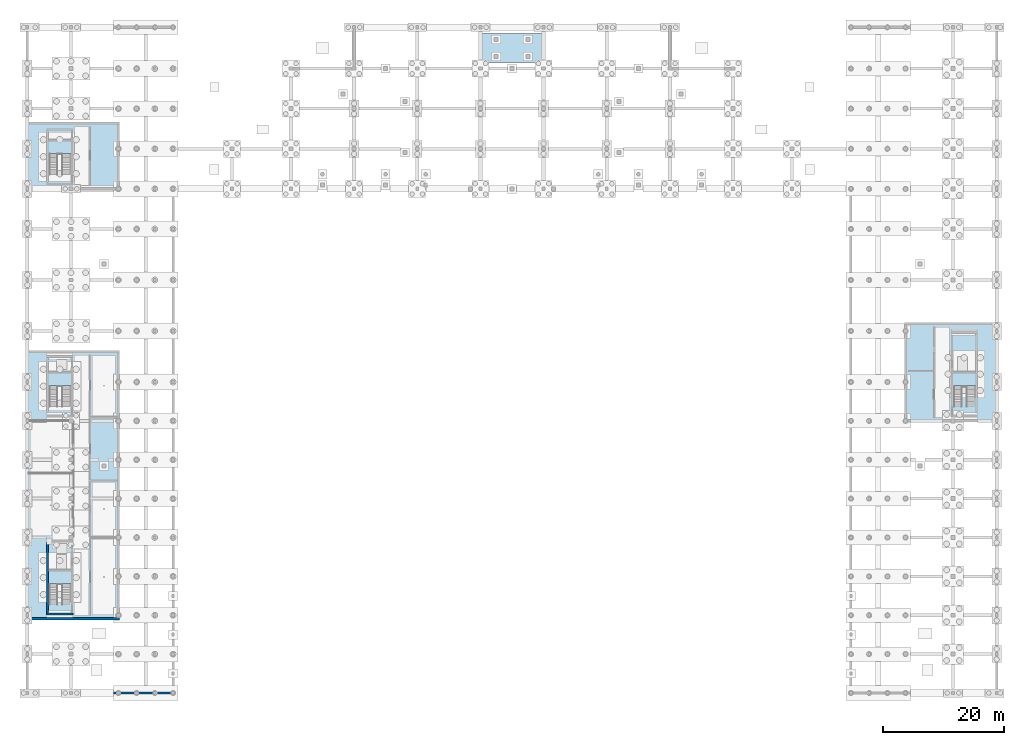
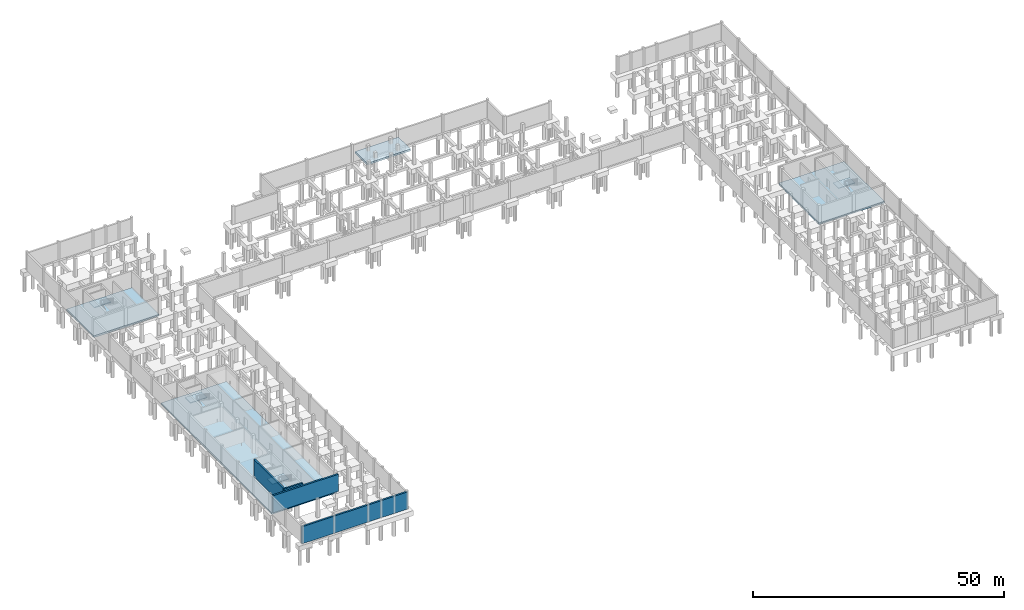
# One storey, part 10 of 21: 8 slabs, 4 walls, 4 elements without a shape of their own.
"""IFC4 building model written with IfcOpenShell, lengths in metres."""

from ifc_helpers import new_model, si_unit, derived_unit, direction, frame, frame_2d, origin, place, context, subcontext, project, spatial, polyline, rectangle, outline, extrude, material, layer, layer_set, type_object, element, aggregate, save


model = new_model("IFC4")

# Units and contexts
model_context = context("Model", 3, precision=1e-05, world=origin(), true_north=direction((0.0, 1.0)))
body_context = subcontext(model_context, "Body", "Model", "MODEL_VIEW")
ifc_project = project(units=[si_unit("LENGTHUNIT", "METRE"), si_unit("AREAUNIT", "SQUARE_METRE"), si_unit("VOLUMEUNIT", "CUBIC_METRE"), si_unit("PLANEANGLEUNIT", "RADIAN"), si_unit("MASSUNIT", "GRAM", prefix="KILO"), derived_unit("THERMALTRANSMITTANCEUNIT", [(si_unit("POWERUNIT", "WATT"), 1), (si_unit("LENGTHUNIT", "METRE"), -2), (si_unit("THERMODYNAMICTEMPERATUREUNIT", "KELVIN"), -1)])], contexts=[model_context])

# Site, building, storey
site_placement = place(None, origin())
site = spatial("IfcSite", under=ifc_project, at=site_placement, CompositionType="ELEMENT")
building_placement = place(site_placement, origin())
building = spatial("IfcBuilding", under=site, at=building_placement, Name="Braskholm Square Health Centre", CompositionType="ELEMENT")
storey_placement = place(building_placement, frame((0.0, 0.0, -4.5)))
storey = spatial("IfcBuildingStorey", under=building, at=storey_placement, Name="B01", CompositionType="ELEMENT", Elevation=-4.5)

# Slabs
ifc_material_1 = material(Name="Concrete C35/45 (f'c = 35 MPa)", Category="concrete")
ifc_layer_1 = layer(ifc_material_1, 0.419921875)
ifc_layer_set_1 = layer_set([ifc_layer_1], Name="Concrete C35/45 (f'c = 35 MPa)")
slab_type_1 = type_object("IfcSlabType", Name="BasementMatBaseSlab420", PredefinedType="BASESLAB", material=ifc_layer_set_1)
slab_1_placement = place(storey_placement, frame((0.0, 0.0, -0.419921875)))
element("IfcSlab", 1, at=slab_1_placement, inside=storey, type_object=slab_type_1, Name="Basement B01 West central plant and sterile processing mat slab", PredefinedType="BASESLAB", context=body_context, shape_type="SweptSolid", body=[
    extrude(outline(polyline([(4.199951171875, 16.39990234375), (19.199951171875, 16.39990234375), (19.199951171875, 60.39990234375), (4.199951171875, 60.39990234375), (4.199951171875, 16.39990234375)])), origin(), (0.0, 0.0, 1.0), 0.419921875),
])
slab_2_placement = place(storey_placement, frame((0.0, 0.0, -0.419921875)))
element("IfcSlab", 2, at=slab_2_placement, inside=storey, type_object=slab_type_1, Name="Basement B01 Northwest imaging support and core K3 mat slab", PredefinedType="BASESLAB", context=body_context, shape_type="SweptSolid", body=[
    extrude(outline(polyline([(4.199951171875, 87.199951171875), (19.199951171875, 87.199951171875), (19.199951171875, 98.0), (4.199951171875, 98.0), (4.199951171875, 87.199951171875)])), origin(), (0.0, 0.0, 1.0), 0.419921875),
])
slab_3_placement = place(storey_placement, frame((0.0, 0.0, -0.419921875)))
element("IfcSlab", 3, at=slab_3_placement, inside=storey, type_object=slab_type_1, Name="Basement B01 East core K4 and biomedical support mat slab", PredefinedType="BASESLAB", context=body_context, shape_type="SweptSolid", body=[
    extrude(outline(polyline([(148.800048828125, 49.0), (163.800048828125, 49.0), (163.800048828125, 65.0), (148.800048828125, 65.0), (148.800048828125, 49.0)])), origin(), (0.0, 0.0, 1.0), 0.419921875),
])
slab_4_placement = place(storey_placement, frame((0.0, 0.0, 2.679931640625)))
element("IfcSlab", 4, at=slab_4_placement, inside=storey, type_object=slab_type_1, Name="Hydrotherapy pool structural basin slab", PredefinedType="BASESLAB", context=body_context, shape_type="SweptSolid", body=[
    extrude(outline(polyline([(79.0, 108.0), (89.0, 108.0), (89.0, 112.800048828125), (79.0, 112.800048828125), (79.0, 108.0)])), origin(), (0.0, 0.0, 1.0), 0.420166015625),
])

# Stair, slab
stair_type = type_object("IfcStairType", Name="ExitReturnStairB01", PredefinedType="HALF_TURN_STAIR", material=ifc_material_1)
stair_1_placement = place(storey_placement, origin())
stair_1 = element("IfcStair", 5, at=stair_1_placement, inside=storey, type_object=stair_type, Name="Enclosed exit stair ST-01 B01 to L01", PredefinedType="HALF_TURN_STAIR")
ifc_layer_2 = layer(ifc_material_1, 0.179931640625)
ifc_layer_set_2 = layer_set([ifc_layer_2], Name="Concrete C35/45 (f'c = 35 MPa)")
slab_type_2 = type_object("IfcSlabType", Name="StairLandingSlab180", PredefinedType="LANDING", material=ifc_layer_set_2)
slab_5_placement = place(storey_placement, frame((0.0, 0.0, 2.070068359375)))
slab_5 = element("IfcSlab", 6, at=slab_5_placement, type_object=slab_type_2, Name="Stair ST-01 half-landing B01", PredefinedType="LANDING", context=body_context, shape_type="SweptSolid", body=[
    extrude(outline(polyline([(7.64990234375, 22.1201171875), (11.449951171875, 22.1201171875), (11.449951171875, 24.300048828125), (7.64990234375, 24.300048828125), (7.64990234375, 22.1201171875)])), origin(), (0.0, 0.0, 1.0), 0.179931640625),
])
aggregate(stair_1, [slab_5])

stair_2_placement = place(storey_placement, origin())
stair_2 = element("IfcStair", 7, at=stair_2_placement, inside=storey, type_object=stair_type, Name="Enclosed exit stair ST-02 B01 to L01", PredefinedType="HALF_TURN_STAIR")
slab_6_placement = place(storey_placement, frame((0.0, 0.0, 2.070068359375)))
slab_6 = element("IfcSlab", 8, at=slab_6_placement, type_object=slab_type_2, Name="Stair ST-02 half-landing B01", PredefinedType="LANDING", context=body_context, shape_type="SweptSolid", body=[
    extrude(outline(polyline([(7.64990234375, 54.719970703125), (11.449951171875, 54.719970703125), (11.449951171875, 56.89990234375), (7.64990234375, 56.89990234375), (7.64990234375, 54.719970703125)])), origin(), (0.0, 0.0, 1.0), 0.179931640625),
])
aggregate(stair_2, [slab_6])

stair_3_placement = place(storey_placement, origin())
stair_3 = element("IfcStair", 9, at=stair_3_placement, inside=storey, type_object=stair_type, Name="Enclosed exit stair ST-03 B01 to L01", PredefinedType="HALF_TURN_STAIR")
slab_7_placement = place(storey_placement, frame((0.0, 0.0, 2.070068359375)))
slab_7 = element("IfcSlab", 10, at=slab_7_placement, type_object=slab_type_2, Name="Stair ST-03 half-landing B01", PredefinedType="LANDING", context=body_context, shape_type="SweptSolid", body=[
    extrude(outline(polyline([(7.64990234375, 92.919921875), (11.449951171875, 92.919921875), (11.449951171875, 95.10009765625), (7.64990234375, 95.10009765625), (7.64990234375, 92.919921875)])), origin(), (0.0, 0.0, 1.0), 0.179931640625),
])
aggregate(stair_3, [slab_7])

stair_4_placement = place(storey_placement, origin())
stair_4 = element("IfcStair", 11, at=stair_4_placement, inside=storey, type_object=stair_type, Name="Enclosed exit stair ST-04 B01 to L01", PredefinedType="HALF_TURN_STAIR")
slab_8_placement = place(storey_placement, frame((0.0, 0.0, 2.070068359375)))
slab_8 = element("IfcSlab", 12, at=slab_8_placement, type_object=slab_type_2, Name="Stair ST-04 half-landing B01", PredefinedType="LANDING", context=body_context, shape_type="SweptSolid", body=[
    extrude(outline(polyline([(156.550048828125, 54.719970703125), (160.35009765625, 54.719970703125), (160.35009765625, 56.89990234375), (156.550048828125, 56.89990234375), (156.550048828125, 54.719970703125)])), origin(), (0.0, 0.0, 1.0), 0.179931640625),
])
aggregate(stair_4, [slab_8])

# Walls
ifc_layer_3 = layer(ifc_material_1, 0.39990234375)
ifc_layer_set_3 = layer_set([ifc_layer_3], Name="Concrete C35/45 (f'c = 35 MPa)")
wall_type_1 = type_object("IfcWallType", Name="BasementRetainingWall400", PredefinedType="SHEAR", material=ifc_layer_set_3)
wall_1_placement = place(storey_placement, frame((4.0, 4.199951171875, 0.0), z_axis=(0.0, 0.0, 1.0), x_axis=(1.0, 0.0, 0.0)))
element("IfcWall", 13, at=wall_1_placement, inside=storey, type_object=wall_type_1, Name="Substructure perimeter retaining wall BW-PERIM-SW", PredefinedType="SHEAR", context=body_context, shape_type="SweptSolid", body=[
    extrude(rectangle(XDim=24.39990234375, YDim=0.39990234375, at=frame_2d((12.199951171875, 0.0))), origin(), (0.0, 0.0, 1.0), 4.14990234375),
])
wall_2_placement = place(storey_placement, frame((4.39990234375, 16.39990234375, 0.0), z_axis=(0.0, 0.0, 1.0), x_axis=(1.0, 0.0, 0.0)))
element("IfcWall", 14, at=wall_2_placement, inside=storey, type_object=wall_type_1, Name="Substructure perimeter retaining wall BW-B01W-S", PredefinedType="SHEAR", context=body_context, shape_type="SweptSolid", body=[
    extrude(rectangle(XDim=15.0, YDim=0.39990234375, at=frame_2d((7.5, 0.0))), origin(), (0.0, 0.0, 1.0), 4.14990234375),
])
ifc_material_2 = material(Name="Concrete C40/50 (f'c = 40 MPa)", Category="concrete")
ifc_layer_4 = layer(ifc_material_2, 0.35009765625)
ifc_layer_set_4 = layer_set([ifc_layer_4], Name="Concrete C40/50 (f'c = 40 MPa)")
wall_type_2 = type_object("IfcWallType", Name="ShearCoreWall350", PredefinedType="SHEAR", material=ifc_layer_set_4)
wall_3_placement = place(storey_placement, frame((7.375, 17.199951171875, 0.0), z_axis=(0.0, 0.0, 1.0), x_axis=(1.0, 0.0, 0.0)))
element("IfcWall", 15, at=wall_3_placement, inside=storey, type_object=wall_type_2, Name="CWALL-K1-B01 south wall", PredefinedType="SHEAR", context=body_context, shape_type="SweptSolid", body=[
    extrude(rectangle(XDim=4.35009765625, YDim=0.35009765625, at=frame_2d((2.175048828125, 0.0))), origin(), (0.0, 0.0, 1.0), 4.199951171875),
])
wall_4_placement = place(storey_placement, frame((7.550048828125, 29.02490234375, 0.0), z_axis=(0.0, 0.0, 1.0), x_axis=(0.0, -1.0, 0.0)))
element("IfcWall", 16, at=wall_4_placement, inside=storey, type_object=wall_type_2, Name="CWALL-K1-B01 west wall", PredefinedType="SHEAR", context=body_context, shape_type="SweptSolid", body=[
    extrude(rectangle(XDim=11.64990234375, YDim=0.35009765625, at=frame_2d((5.824951171875, 0.0))), origin(), (0.0, 0.0, 1.0), 4.199951171875),
])

save(model, "model.ifc")
